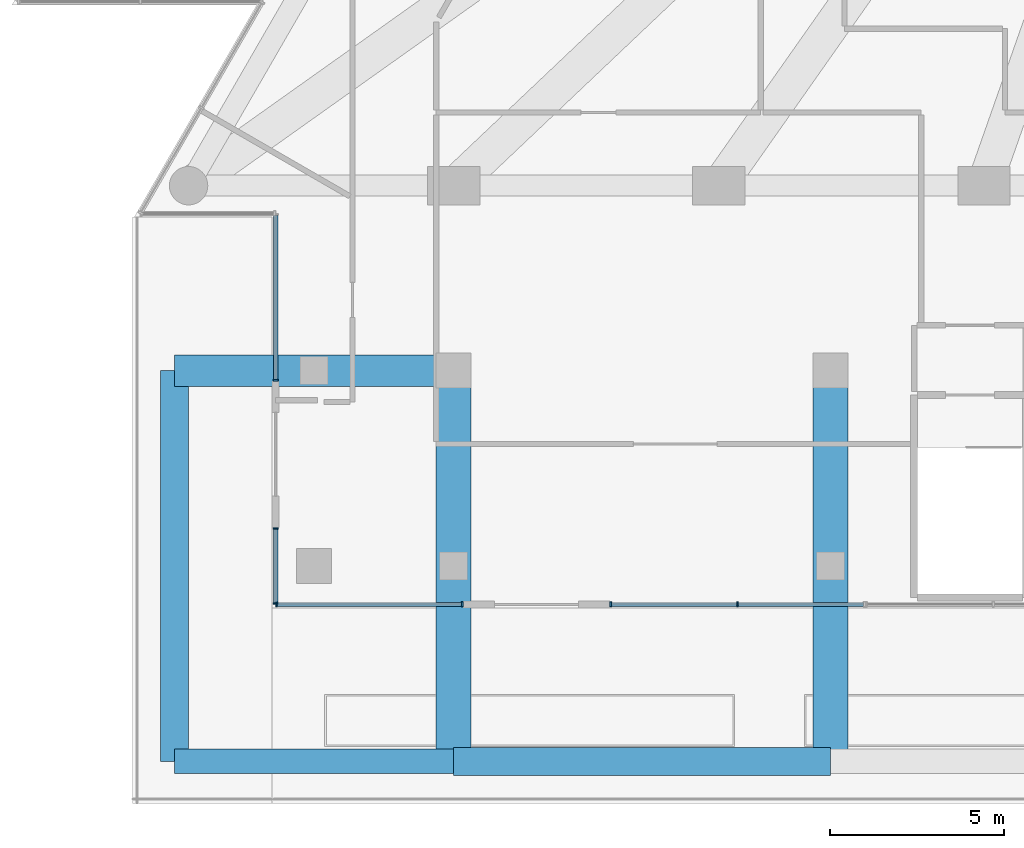
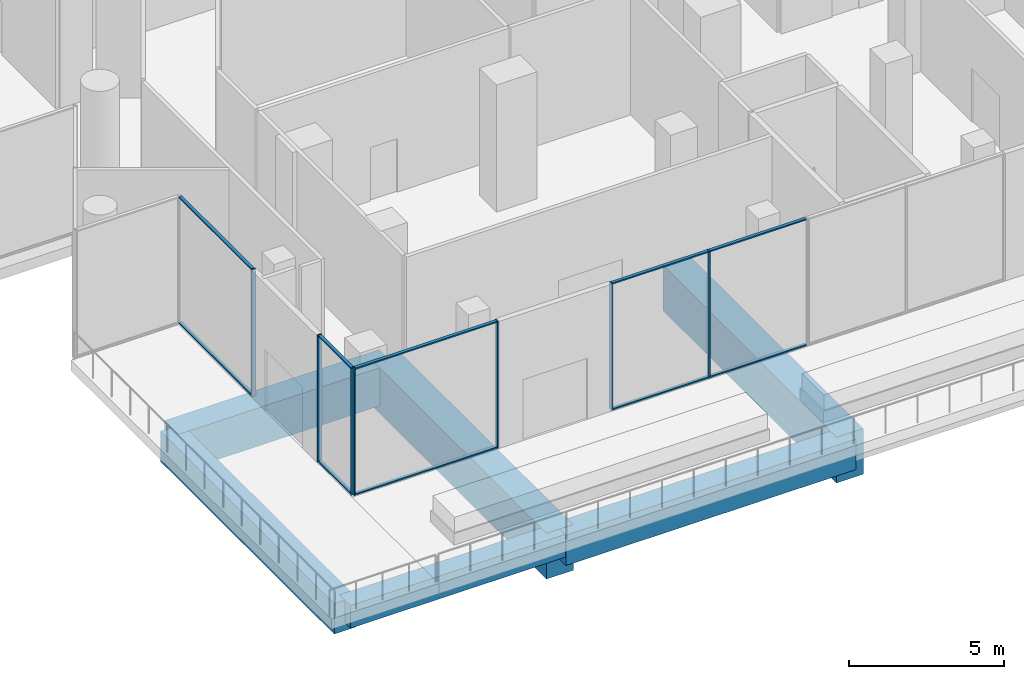
# One storey, part 2 of 29: 17 members, 6 beams, 4 elements without a shape of their own.
"""IFC4 building model written with IfcOpenShell, lengths in metres."""

from ifc_helpers import new_model, si_unit, direction, frame, origin, origin_2d, place, context, subcontext, project, spatial, rectangle, extrude, material, layer, layer_set, material_profile, profile_set, type_object, element, aggregate, save


model = new_model("IFC4")

# Units and contexts
model_context = context("Model", 3, precision=1e-05, world=origin(), true_north=direction((0.0, 1.0)))
body_context = subcontext(model_context, "Body", "Model", "MODEL_VIEW")
ifc_project = project(units=[si_unit("LENGTHUNIT", "METRE"), si_unit("AREAUNIT", "SQUARE_METRE"), si_unit("VOLUMEUNIT", "CUBIC_METRE"), si_unit("PLANEANGLEUNIT", "RADIAN"), si_unit("MASSUNIT", "GRAM", prefix="KILO")], contexts=[model_context])

# Site, building, storey
site_placement = place(None, origin())
site = spatial("IfcSite", under=ifc_project, at=site_placement, CompositionType="ELEMENT")
building_placement = place(site_placement, origin())
building = spatial("IfcBuilding", under=site, at=building_placement, Name="Triada Interchange Tower", CompositionType="ELEMENT")
storey_placement = place(building_placement, frame((0.0, 0.0, 19.89990234375)))
storey = spatial("IfcBuildingStorey", under=building, at=storey_placement, Name="L03", CompositionType="ELEMENT", Elevation=19.89990234375)

# Curtain wall, members
ifc_material_1 = material(Name="Aluminium framed glazing", Category="aluminium")
ifc_layer = layer(ifc_material_1, 0.199951171875)
ifc_layer_set = layer_set([ifc_layer], Name="Curtain wall Retail shopfront")
curtain_wall_type = type_object("IfcCurtainWallType", Name="Curtain wall Retail shopfront", PredefinedType="NOTDEFINED", material=ifc_layer_set)
curtain_wall_1_placement = place(storey_placement, origin())
curtain_wall_1 = element("IfcCurtainWall", 1, at=curtain_wall_1_placement, inside=storey, type_object=curtain_wall_type, Name="Retail shopfront CW001 L03", PredefinedType="NOTDEFINED")
ifc_material_2 = material(Name="Aluminium", Category="aluminium")
ifc_material_profile_1 = material_profile(ifc_material_2, rectangle(XDim=0.14990234375, YDim=0.050048828125, at=origin_2d()), Name="Aluminium mullion")
ifc_profile_set_1 = profile_set([ifc_material_profile_1], Name="Aluminium")
member_type_1 = type_object("IfcMemberType", Name="Mullion Retail shopfront 150x50", PredefinedType="MULLION", material=ifc_profile_set_1)
member_1_placement = place(storey_placement, frame((-27.875, -33.60009765625, 0.0), z_axis=(0.0, 0.0, 1.0), x_axis=(0.0, 1.0, 0.0)))
member_1 = element("IfcMember", 2, at=member_1_placement, type_object=member_type_1, Name="CW001 mullion 1", PredefinedType="MULLION", context=body_context, shape_type="SweptSolid", body=[
    extrude(rectangle(XDim=0.14990234375, YDim=0.050048828125, at=origin_2d()), origin(), (0.0, 0.0, 1.0), 5.0),
])
member_2_placement = place(storey_placement, frame((-22.550048828125, -33.60009765625, 0.0), z_axis=(0.0, 0.0, 1.0), x_axis=(0.0, 1.0, 0.0)))
member_2 = element("IfcMember", 3, at=member_2_placement, type_object=member_type_1, Name="CW001 mullion 2", PredefinedType="MULLION", context=body_context, shape_type="SweptSolid", body=[
    extrude(rectangle(XDim=0.14990234375, YDim=0.050048828125, at=origin_2d()), origin(), (0.0, 0.0, 1.0), 5.0),
])

curtain_wall_2_placement = place(storey_placement, origin())
curtain_wall_2 = element("IfcCurtainWall", 4, at=curtain_wall_2_placement, inside=storey, type_object=curtain_wall_type, Name="Retail shopfront CW002 L03", PredefinedType="NOTDEFINED")
member_3_placement = place(storey_placement, frame((-18.300048828125, -33.60009765625, 0.0), z_axis=(0.0, 0.0, 1.0), x_axis=(0.0, 1.0, 0.0)))
member_3 = element("IfcMember", 5, at=member_3_placement, type_object=member_type_1, Name="CW002 mullion 1", PredefinedType="MULLION", context=body_context, shape_type="SweptSolid", body=[
    extrude(rectangle(XDim=0.14990234375, YDim=0.050048828125, at=origin_2d()), origin(), (0.0, 0.0, 1.0), 5.0),
])
member_4_placement = place(storey_placement, frame((-14.6650390625, -33.60009765625, 0.0), z_axis=(0.0, 0.0, 1.0), x_axis=(0.0, 1.0, 0.0)))
member_4 = element("IfcMember", 6, at=member_4_placement, type_object=member_type_1, Name="CW002 mullion 2", PredefinedType="MULLION", context=body_context, shape_type="SweptSolid", body=[
    extrude(rectangle(XDim=0.14990234375, YDim=0.050048828125, at=origin_2d()), origin(), (0.0, 0.0, 1.0), 5.0),
])

# Curtain wall, member
curtain_wall_3_placement = place(storey_placement, origin())
curtain_wall_3 = element("IfcCurtainWall", 7, at=curtain_wall_3_placement, inside=storey, type_object=curtain_wall_type, Name="Retail shopfront CW034 L03", PredefinedType="NOTDEFINED")
member_5_placement = place(storey_placement, frame((-27.89990234375, -27.175048828125, 0.0), z_axis=(0.0, 0.0, 1.0), x_axis=(1.0, 0.0, 0.0)))
member_5 = element("IfcMember", 8, at=member_5_placement, type_object=member_type_1, Name="CW034 mullion 2", PredefinedType="MULLION", context=body_context, shape_type="SweptSolid", body=[
    extrude(rectangle(XDim=0.14990234375, YDim=0.050048828125, at=origin_2d()), origin(), (0.0, 0.0, 1.0), 5.0),
])

# Curtain wall, members
curtain_wall_4_placement = place(storey_placement, origin())
curtain_wall_4 = element("IfcCurtainWall", 9, at=curtain_wall_4_placement, inside=storey, type_object=curtain_wall_type, Name="Retail shopfront CW035 L03", PredefinedType="NOTDEFINED")
member_6_placement = place(storey_placement, frame((-27.89990234375, -31.425048828125, 0.0), z_axis=(0.0, 0.0, 1.0), x_axis=(1.0, 0.0, 0.0)))
member_6 = element("IfcMember", 10, at=member_6_placement, type_object=member_type_1, Name="CW035 mullion 1", PredefinedType="MULLION", context=body_context, shape_type="SweptSolid", body=[
    extrude(rectangle(XDim=0.14990234375, YDim=0.050048828125, at=origin_2d()), origin(), (0.0, 0.0, 1.0), 5.0),
])
member_7_placement = place(storey_placement, frame((-27.89990234375, -33.574951171875, 0.0), z_axis=(0.0, 0.0, 1.0), x_axis=(1.0, 0.0, 0.0)))
member_7 = element("IfcMember", 11, at=member_7_placement, type_object=member_type_1, Name="CW035 mullion 2", PredefinedType="MULLION", context=body_context, shape_type="SweptSolid", body=[
    extrude(rectangle(XDim=0.14990234375, YDim=0.050048828125, at=origin_2d()), origin(), (0.0, 0.0, 1.0), 5.0),
])

# Beams
ifc_material_3 = material(Name="Concrete C40/50", Category="concrete")
ifc_material_profile_2 = material_profile(ifc_material_3, rectangle(XDim=0.699951171875, YDim=0.89990234375, at=origin_2d()), Name="RC 700x900")
ifc_profile_set_2 = profile_set([ifc_material_profile_2], Name="Concrete C40/50")
beam_type_1 = type_object("IfcBeamType", Name="Terrace beam RC 700x900", PredefinedType="BEAM", material=ifc_profile_set_2)
beam_1_placement = place(storey_placement, frame((-30.800048828125, -38.10009765625, -0.849853515625), z_axis=(1.0, 0.0, 0.0), x_axis=(0.0, 1.0, 0.0)))
element("IfcBeam", 12, at=beam_1_placement, inside=storey, type_object=beam_type_1, Name="Terrace beam TE01 L03", PredefinedType="BEAM", context=body_context, shape_type="SweptSolid", body=[
    extrude(rectangle(XDim=0.699951171875, YDim=0.89990234375, at=origin_2d()), origin(), (0.0, 0.0, 1.0), 8.0),
])
ifc_material_profile_3 = material_profile(ifc_material_3, rectangle(XDim=0.800048828125, YDim=1.199951171875, at=origin_2d()), Name="RC 800x1200")
ifc_profile_set_3 = profile_set([ifc_material_profile_3], Name="Concrete C40/50")
beam_type_2 = type_object("IfcBeamType", Name="Terrace beam RC 800x1200", PredefinedType="BEAM", material=ifc_profile_set_3)
beam_2_placement = place(storey_placement, frame((-30.800048828125, -38.10009765625, -1.0), z_axis=(0.0, 1.0, 0.0), x_axis=(-1.0, 0.0, 0.0)))
element("IfcBeam", 13, at=beam_2_placement, inside=storey, type_object=beam_type_2, Name="Terrace beam TE02 L03", PredefinedType="BEAM", context=body_context, shape_type="SweptSolid", body=[
    extrude(rectangle(XDim=0.800048828125, YDim=1.199951171875, at=origin_2d()), origin(), (0.0, 0.0, 1.0), 11.2001953125),
])
beam_3_placement = place(storey_placement, frame((-22.800048828125, -38.10009765625, -1.0), z_axis=(1.0, 0.0, 0.0), x_axis=(0.0, 1.0, 0.0)))
element("IfcBeam", 14, at=beam_3_placement, inside=storey, type_object=beam_type_2, Name="Terrace beam TE05 L03", PredefinedType="BEAM", context=body_context, shape_type="SweptSolid", body=[
    extrude(rectangle(XDim=0.800048828125, YDim=1.199951171875, at=origin_2d()), origin(), (0.0, 0.0, 1.0), 10.800048828125),
])
ifc_material_4 = material(Name="Concrete C50/60", Category="concrete")
ifc_material_profile_4 = material_profile(ifc_material_4, rectangle(XDim=1.0, YDim=1.800048828125, at=origin_2d()), Name="RC 1000x1800")
ifc_profile_set_4 = profile_set([ifc_material_profile_4], Name="Concrete C50/60")
beam_type_3 = type_object("IfcBeamType", Name="Transfer girder RC 1000x1800", PredefinedType="BEAM", material=ifc_profile_set_4)
for number, where, z_axis, x_axis, name in (
    (15, (-22.800048828125, -38.10009765625, -1.2998046875), (0.0, 1.0, 0.0), (-1.0, 0.0, 0.0), "Transfer girder TG03 L03"),
    (16, (-12.0, -38.10009765625, -1.2998046875), (0.0, 1.0, 0.0), (-1.0, 0.0, 0.0), "Transfer girder TG04 L03"),
):
    element("IfcBeam", number, at=place(storey_placement, frame(where, z_axis=z_axis, x_axis=x_axis)), inside=storey, type_object=beam_type_3, Name=name, PredefinedType="BEAM", context=body_context, shape_type="SweptSolid", body=[
        extrude(rectangle(XDim=1.0, YDim=1.800048828125, at=origin_2d()), origin(), (0.0, 0.0, 1.0), 11.2001953125),
    ])
ifc_material_profile_5 = material_profile(ifc_material_4, rectangle(XDim=0.89990234375, YDim=1.5, at=origin_2d()), Name="RC 900x1500")
ifc_profile_set_5 = profile_set([ifc_material_profile_5], Name="Concrete C50/60")
beam_type_4 = type_object("IfcBeamType", Name="Transfer girder RC 900x1500", PredefinedType="BEAM", material=ifc_profile_set_5)
beam_4_placement = place(storey_placement, frame((-30.800048828125, -26.89990234375, -1.14990234375), z_axis=(1.0, 0.0, 0.0), x_axis=(0.0, 1.0, 0.0)))
element("IfcBeam", 17, at=beam_4_placement, inside=storey, type_object=beam_type_4, Name="Transfer girder TG01 L03", PredefinedType="BEAM", context=body_context, shape_type="SweptSolid", body=[
    extrude(rectangle(XDim=0.89990234375, YDim=1.5, at=origin_2d()), origin(), (0.0, 0.0, 1.0), 8.0),
])

# Member
ifc_material_profile_6 = material_profile(ifc_material_2, rectangle(XDim=0.1201171875, YDim=0.050048828125, at=origin_2d()), Name="Aluminium transom")
ifc_profile_set_6 = profile_set([ifc_material_profile_6], Name="Aluminium")
member_type_2 = type_object("IfcMemberType", Name="Transom Retail shopfront 120x50", PredefinedType="USERDEFINED", material=ifc_profile_set_6)
member_8_placement = place(storey_placement, frame((-27.85009765625, -33.60009765625, 0.025146484375), z_axis=(1.0, 0.0, 0.0), x_axis=(0.0, 1.0, 0.0)))
member_8 = element("IfcMember", 18, at=member_8_placement, type_object=member_type_2, Name="CW001 transom 1.1", ObjectType="TRANSOM", PredefinedType="USERDEFINED", context=body_context, shape_type="SweptSolid", body=[
    extrude(rectangle(XDim=0.1201171875, YDim=0.050048828125, at=origin_2d()), origin(), (0.0, 0.0, 1.0), 5.275146484375),
])

member_9_placement = place(storey_placement, frame((-27.85009765625, -33.60009765625, 4.97509765625), z_axis=(1.0, 0.0, 0.0), x_axis=(0.0, 1.0, 0.0)))
member_9 = element("IfcMember", 19, at=member_9_placement, type_object=member_type_2, Name="CW001 transom 1.2", ObjectType="TRANSOM", PredefinedType="USERDEFINED", context=body_context, shape_type="SweptSolid", body=[
    extrude(rectangle(XDim=0.1201171875, YDim=0.050048828125, at=origin_2d()), origin(), (0.0, 0.0, 1.0), 5.275146484375),
])

aggregate(curtain_wall_1, [member_1, member_2, member_8, member_9])

member_10_placement = place(storey_placement, frame((-18.27490234375, -33.60009765625, 0.025146484375), z_axis=(1.0, 0.0, 0.0), x_axis=(0.0, 1.0, 0.0)))
member_10 = element("IfcMember", 20, at=member_10_placement, type_object=member_type_2, Name="CW002 transom 1.1", ObjectType="TRANSOM", PredefinedType="USERDEFINED", context=body_context, shape_type="SweptSolid", body=[
    extrude(rectangle(XDim=0.1201171875, YDim=0.050048828125, at=origin_2d()), origin(), (0.0, 0.0, 1.0), 3.5849609375),
])

member_11_placement = place(storey_placement, frame((-18.27490234375, -33.60009765625, 4.97509765625), z_axis=(1.0, 0.0, 0.0), x_axis=(0.0, 1.0, 0.0)))
member_11 = element("IfcMember", 21, at=member_11_placement, type_object=member_type_2, Name="CW002 transom 1.2", ObjectType="TRANSOM", PredefinedType="USERDEFINED", context=body_context, shape_type="SweptSolid", body=[
    extrude(rectangle(XDim=0.1201171875, YDim=0.050048828125, at=origin_2d()), origin(), (0.0, 0.0, 1.0), 3.5849609375),
])

member_12_placement = place(storey_placement, frame((-14.639892578125, -33.60009765625, 0.025146484375), z_axis=(1.0, 0.0, 0.0), x_axis=(0.0, 1.0, 0.0)))
member_12 = element("IfcMember", 22, at=member_12_placement, type_object=member_type_2, Name="CW002 transom 2.1", ObjectType="TRANSOM", PredefinedType="USERDEFINED", context=body_context, shape_type="SweptSolid", body=[
    extrude(rectangle(XDim=0.1201171875, YDim=0.050048828125, at=origin_2d()), origin(), (0.0, 0.0, 1.0), 3.5849609375),
])

member_13_placement = place(storey_placement, frame((-14.639892578125, -33.60009765625, 4.97509765625), z_axis=(1.0, 0.0, 0.0), x_axis=(0.0, 1.0, 0.0)))
member_13 = element("IfcMember", 23, at=member_13_placement, type_object=member_type_2, Name="CW002 transom 2.2", ObjectType="TRANSOM", PredefinedType="USERDEFINED", context=body_context, shape_type="SweptSolid", body=[
    extrude(rectangle(XDim=0.1201171875, YDim=0.050048828125, at=origin_2d()), origin(), (0.0, 0.0, 1.0), 3.5849609375),
])

aggregate(curtain_wall_2, [member_3, member_4, member_10, member_11, member_12, member_13])

member_14_placement = place(storey_placement, frame((-27.89990234375, -22.449951171875, 0.025146484375), z_axis=(0.0, -1.0, 0.0), x_axis=(1.0, 0.0, 0.0)))
member_14 = element("IfcMember", 24, at=member_14_placement, type_object=member_type_2, Name="CW034 transom 1.1", ObjectType="TRANSOM", PredefinedType="USERDEFINED", context=body_context, shape_type="SweptSolid", body=[
    extrude(rectangle(XDim=0.1201171875, YDim=0.050048828125, at=origin_2d()), origin(), (0.0, 0.0, 1.0), 4.699951171875),
])

member_15_placement = place(storey_placement, frame((-27.89990234375, -22.449951171875, 4.97509765625), z_axis=(0.0, -1.0, 0.0), x_axis=(1.0, 0.0, 0.0)))
member_15 = element("IfcMember", 25, at=member_15_placement, type_object=member_type_2, Name="CW034 transom 1.2", ObjectType="TRANSOM", PredefinedType="USERDEFINED", context=body_context, shape_type="SweptSolid", body=[
    extrude(rectangle(XDim=0.1201171875, YDim=0.050048828125, at=origin_2d()), origin(), (0.0, 0.0, 1.0), 4.699951171875),
])

aggregate(curtain_wall_3, [member_5, member_14, member_15])

member_16_placement = place(storey_placement, frame((-27.89990234375, -31.449951171875, 0.025146484375), z_axis=(0.0, -1.0, 0.0), x_axis=(1.0, 0.0, 0.0)))
member_16 = element("IfcMember", 26, at=member_16_placement, type_object=member_type_2, Name="CW035 transom 1.1", ObjectType="TRANSOM", PredefinedType="USERDEFINED", context=body_context, shape_type="SweptSolid", body=[
    extrude(rectangle(XDim=0.1201171875, YDim=0.050048828125, at=origin_2d()), origin(), (0.0, 0.0, 1.0), 2.10009765625),
])

member_17_placement = place(storey_placement, frame((-27.89990234375, -31.449951171875, 4.97509765625), z_axis=(0.0, -1.0, 0.0), x_axis=(1.0, 0.0, 0.0)))
member_17 = element("IfcMember", 27, at=member_17_placement, type_object=member_type_2, Name="CW035 transom 1.2", ObjectType="TRANSOM", PredefinedType="USERDEFINED", context=body_context, shape_type="SweptSolid", body=[
    extrude(rectangle(XDim=0.1201171875, YDim=0.050048828125, at=origin_2d()), origin(), (0.0, 0.0, 1.0), 2.10009765625),
])

aggregate(curtain_wall_4, [member_6, member_7, member_16, member_17])

save(model, "model.ifc")
